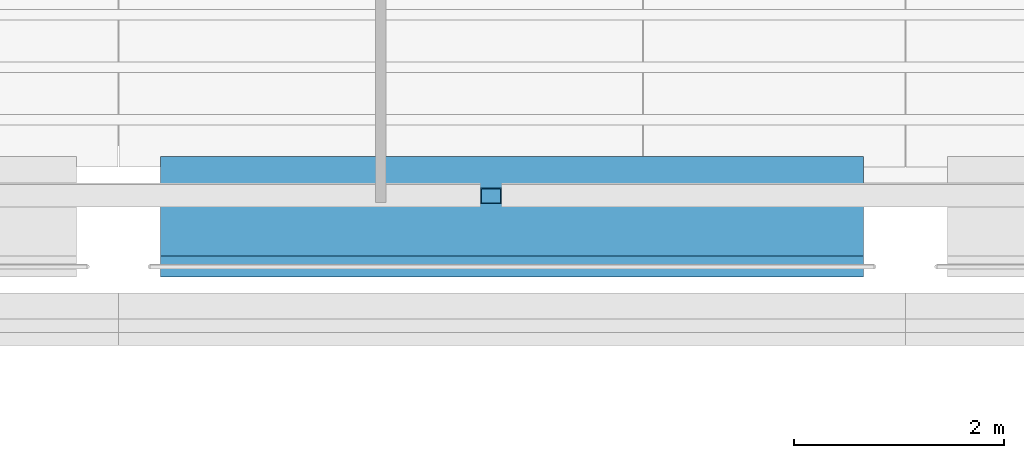
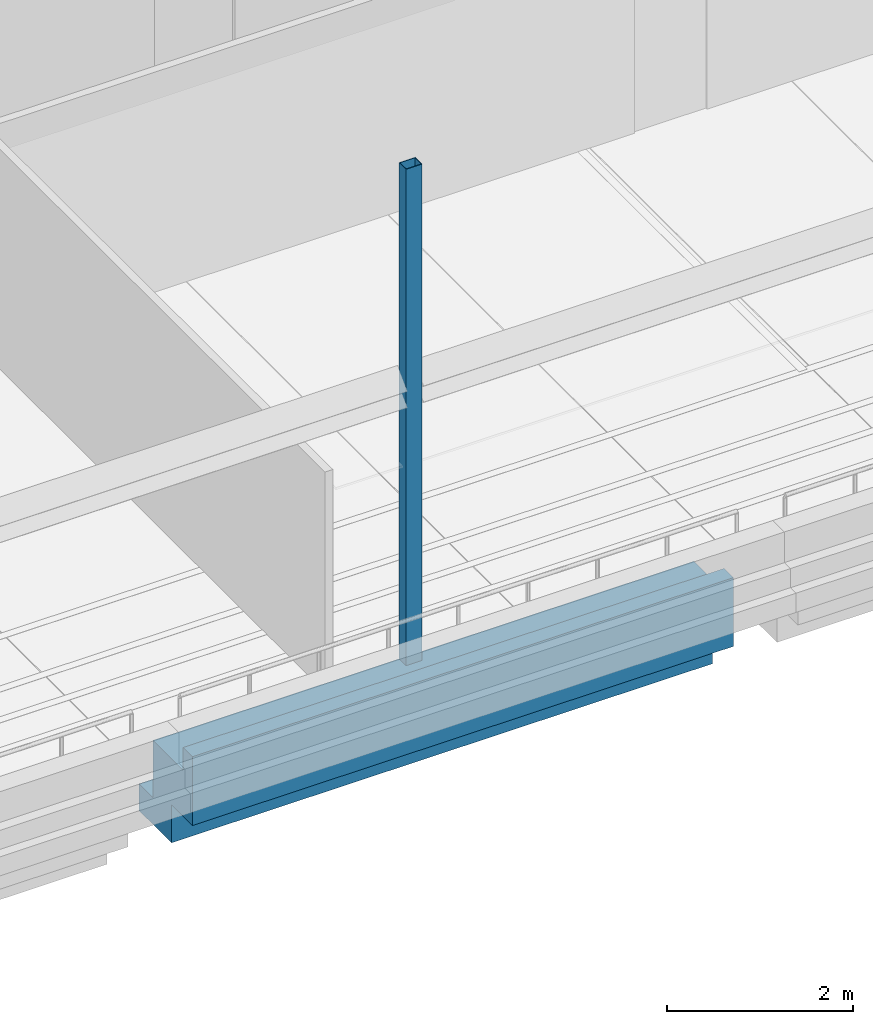
# One storey, part 15 of 62: 1 beam, 1 member.
"""IFC4 building model written with IfcOpenShell, lengths in metres."""

from ifc_helpers import new_model, si_unit, direction, frame, origin, origin_2d, place, context, subcontext, project, spatial, polyline, hollow_rectangle, outline, extrude, material, material_profile, profile_set, type_object, element, save


model = new_model("IFC4")

# Units and contexts
model_context = context("Model", 3, precision=1e-05, world=origin(), true_north=direction((0.0, 1.0)))
body_context = subcontext(model_context, "Body", "Model", "MODEL_VIEW")
ifc_project = project(units=[si_unit("LENGTHUNIT", "METRE"), si_unit("AREAUNIT", "SQUARE_METRE"), si_unit("VOLUMEUNIT", "CUBIC_METRE"), si_unit("PLANEANGLEUNIT", "RADIAN"), si_unit("MASSUNIT", "GRAM", prefix="KILO")], contexts=[model_context])

# Site, building, storey
site_placement = place(None, origin())
site = spatial("IfcSite", under=ifc_project, at=site_placement, CompositionType="ELEMENT")
building_placement = place(site_placement, origin())
building = spatial("IfcBuilding", under=site, at=building_placement, Name="Cour d'Honneur Mobility Palace", CompositionType="ELEMENT")
storey_placement = place(building_placement, frame((0.0, 0.0, 19.300048828125)))
storey = spatial("IfcBuildingStorey", under=building, at=storey_placement, Name="L05", CompositionType="ELEMENT", Elevation=19.300048828125)

# Beam
ifc_material_1 = material(Name="Concrete C45", Category="concrete")
ifc_material_profile_1 = material_profile(ifc_material_1, outline(polyline([(0.5, -1.10009765625), (0.5, -0.75), (0.199951171875, -0.75), (0.199951171875, 0.0), (-0.199951171875, 0.0), (-0.449951171875, 0.0), (-0.449951171875, 0.300048828125), (-0.64990234375, 0.300048828125), (-0.64990234375, -0.60009765625), (-0.199951171875, -0.60009765625), (-0.199951171875, -1.10009765625), (0.5, -1.10009765625)])), Name="Ledger Beam 400x1100 ledge left 350 facade right")
ifc_profile_set_1 = profile_set([ifc_material_profile_1], Name="Concrete C45")
beam_type = type_object("IfcBeamType", Name="Ledger Beam 400x1100 ledge left 350 facade right", PredefinedType="BEAM", material=ifc_profile_set_1)
beam_placement = place(storey_placement, frame((122.800048828125, 45.0, 0.0), z_axis=(1.0, 0.0, 0.0), x_axis=(0.0, 1.0, 0.0)))
element("IfcBeam", 1, at=beam_placement, inside=storey, type_object=beam_type, Name="Precast beam B2 16-17 L05", PredefinedType="BEAM", context=body_context, shape_type="SweptSolid", body=[
    extrude(outline(polyline([(0.5, -1.10009765625), (0.5, -0.75), (0.199951171875, -0.75), (0.199951171875, 0.0), (-0.199951171875, 0.0), (-0.449951171875, 0.0), (-0.449951171875, 0.300048828125), (-0.64990234375, 0.300048828125), (-0.64990234375, -0.60009765625), (-0.199951171875, -0.60009765625), (-0.199951171875, -1.10009765625), (0.5, -1.10009765625)])), origin(), (0.0, 0.0, 1.0), 6.699951171875),
])

# Member
ifc_material_2 = material(Name="Steel S355", Category="steel")
ifc_material_profile_2 = material_profile(ifc_material_2, hollow_rectangle(XDim=0.14990234375, YDim=0.199951171875, WallThickness=0.008056640625, at=origin_2d()), Name="RHS 200x150x8")
ifc_profile_set_2 = profile_set([ifc_material_profile_2], Name="Steel S355")
member_type = type_object("IfcMemberType", Name="Pergola post RHS 200x150x8", PredefinedType="POST", material=ifc_profile_set_2)
member_placement = place(storey_placement, frame((125.949951171875, 45.125, 0.0), z_axis=(0.0, 0.0, 1.0), x_axis=(0.0, 1.0, 0.0)))
element("IfcMember", 2, at=member_placement, inside=storey, type_object=member_type, Name="Pergola post FE-S2", PredefinedType="POST", context=body_context, shape_type="SweptSolid", body=[
    extrude(hollow_rectangle(XDim=0.14990234375, YDim=0.199951171875, WallThickness=0.008056640625, at=origin_2d()), origin(), (0.0, 0.0, 1.0), 6.5),
])

save(model, "model.ifc")
